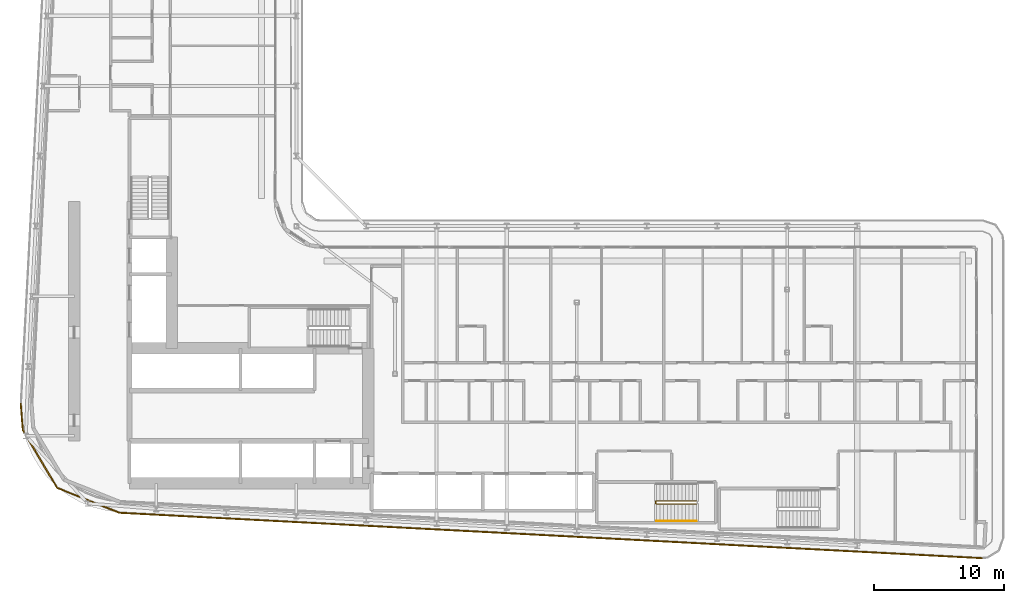
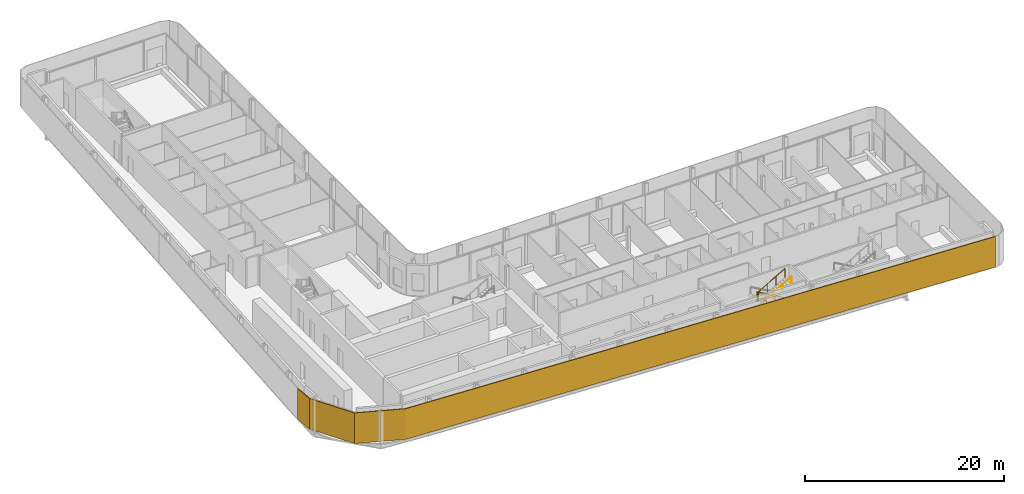
# One storey, part 21 of 25: 2 railings, 1 shading device.
"""IFC4 building model written with IfcOpenShell, lengths in metres."""

import ifcopenshell
import ifcopenshell.guid

model = None  # the IFC model being written
_history = None  # IfcOwnerHistory: only IFC2X3 demands one
_inside = {}  # id of a spatial element -> (the spatial element, [elements in it])
_under = {}  # id of a project, library or spatial element -> (it, [spatial elements below it])
_declared = {}  # id of a project -> (the project, [libraries it declares])
_typed = {}  # id of a type object -> (the type object, [elements of that type])
_made_of = {}  # id of a material, layer set ... -> (it, [elements and type objects made of it])


def new_model(schema):
    """Start an empty IFC model of exactly this schema.

    Asked for "IFC4X3", IfcOpenShell would pick the latest addendum, in which some entities
    have other attributes; the version numbers below select the first issue.
    IFC2X3 requires an IfcOwnerHistory on every rooted entity: one is made here for all.
    """
    global model, _history
    if schema == "IFC4X3":
        model = ifcopenshell.file(schema_version=(4, 3, 0, 0))
    else:
        model = ifcopenshell.file(schema=schema)
    _inside.clear()
    _under.clear()
    _declared.clear()
    _typed.clear()
    _made_of.clear()
    _history = None
    if model.schema == "IFC2X3":
        org = make("IfcOrganization", Name="unknown")
        user = make(
            "IfcPersonAndOrganization",
            ThePerson=make("IfcPerson", FamilyName="unknown"),
            TheOrganization=org,
        )
        app = make(
            "IfcApplication",
            ApplicationDeveloper=org,
            Version="unknown",
            ApplicationFullName="unknown",
            ApplicationIdentifier="unknown",
        )
        _history = make(
            "IfcOwnerHistory",
            OwningUser=user,
            OwningApplication=app,
            ChangeAction="ADDED",
            CreationDate=0,
        )
    return model


def make(cls, **values):
    """One entity of the class cls with the attributes given. An attribute that is None is left unset."""
    return model.create_entity(
        cls, **{name: value for name, value in values.items() if value is not None}
    )


def rooted(cls, **values):
    """An entity with a GlobalId (a new one), such as an element, a storey or a relation."""
    return make(cls, GlobalId=ifcopenshell.guid.new(), OwnerHistory=_history, **values)


def si_unit(unit_type, name, prefix=None):
    """IfcSIUnit, for example si_unit("LENGTHUNIT", "METRE", prefix="MILLI")."""
    return make("IfcSIUnit", UnitType=unit_type, Prefix=prefix, Name=name)


def assignment(units):
    """IfcUnitAssignment: the units of a project."""
    return None if units is None else make("IfcUnitAssignment", Units=units)


def point(xyz):
    """IfcCartesianPoint."""
    return None if xyz is None else make("IfcCartesianPoint", Coordinates=xyz)


def direction(xyz):
    """IfcDirection."""
    return None if xyz is None else make("IfcDirection", DirectionRatios=xyz)


def frame(location, z_axis=None, x_axis=None):
    """IfcAxis2Placement3D, a coordinate frame: its origin and axes. An axis left out is left unset."""
    return make(
        "IfcAxis2Placement3D",
        Location=point(location),
        Axis=direction(z_axis),
        RefDirection=direction(x_axis),
    )


def frame_2d(location, x_axis=None):
    """IfcAxis2Placement2D, a coordinate frame in the plane: its origin and x axis."""
    return make(
        "IfcAxis2Placement2D", Location=point(location), RefDirection=direction(x_axis)
    )


def origin():
    """The frame at (0, 0, 0) with its axes left unset."""
    return frame((0.0, 0.0, 0.0))


def origin_2d():
    """The frame at (0, 0) in the plane with its x axis left unset."""
    return frame_2d((0.0, 0.0))


def place(relative_to, where):
    """IfcLocalPlacement: puts the frame where relative to a parent placement (None: the world)."""
    return make(
        "IfcLocalPlacement", PlacementRelTo=relative_to, RelativePlacement=where
    )


def context(
    kind, dimensions, precision=None, world=None, true_north=None, identifier=None
):
    """IfcGeometricRepresentationContext, for example the 3D "Model" context."""
    return make(
        "IfcGeometricRepresentationContext",
        ContextIdentifier=identifier,
        ContextType=kind,
        CoordinateSpaceDimension=dimensions,
        Precision=precision,
        WorldCoordinateSystem=world,
        TrueNorth=true_north,
    )


def subcontext(parent, identifier, kind, view, scale=None):
    """IfcGeometricRepresentationSubContext, for example "Body" below "Model"."""
    return make(
        "IfcGeometricRepresentationSubContext",
        ContextIdentifier=identifier,
        ContextType=kind,
        ParentContext=parent,
        TargetScale=scale,
        TargetView=view,
    )


def project(units=None, contexts=None):
    """IfcProject with its units and contexts."""
    return rooted(
        "IfcProject",
        Name="project",
        RepresentationContexts=contexts,
        UnitsInContext=assignment(units),
    )


def spatial(cls, under=None, at=None, **own):
    """A site, building, storey or space (cls), placed at a placement, below another one or the project."""
    s = rooted(cls, ObjectPlacement=at, **own)
    if under is not None:
        _under.setdefault(under.id(), (under, []))[1].append(s)
    return s


def polyline(points):
    """IfcPolyline through the points."""
    return make("IfcPolyline", Points=[point(p) for p in points])


def profile(cls, at=None, kind="AREA", **sizes):
    """A parametric profile (cls). Its sizes go by their IFC names, for example OverallWidth=200.0."""
    return make(cls, ProfileType=kind, Position=at, **sizes)


def circle(**sizes):
    """IfcCircleProfileDef."""
    return profile("IfcCircleProfileDef", **sizes)


def outline(outer, holes=None, kind="AREA"):
    """IfcArbitraryClosedProfileDef: a profile drawn as a closed curve; with holes, ...WithVoids."""
    if holes is None:
        return make("IfcArbitraryClosedProfileDef", ProfileType=kind, OuterCurve=outer)
    return make(
        "IfcArbitraryProfileDefWithVoids",
        ProfileType=kind,
        OuterCurve=outer,
        InnerCurves=holes,
    )


def extrude(swept, where, along, depth):
    """IfcExtrudedAreaSolid: the profile swept, set in the frame where, extruded along a direction by depth."""
    return make(
        "IfcExtrudedAreaSolid",
        SweptArea=swept,
        Position=where,
        ExtrudedDirection=direction(along),
        Depth=depth,
    )


def shape(context_of_items, identifier, shape_type, items):
    """IfcShapeRepresentation: the items that make up one representation, for example the "Body"."""
    return make(
        "IfcShapeRepresentation",
        ContextOfItems=context_of_items,
        RepresentationIdentifier=identifier,
        RepresentationType=shape_type,
        Items=items,
    )


def material(Name=None, Category=None):
    """IfcMaterial."""
    return make("IfcMaterial", Name=Name, Category=Category)


def layer(
    of_material, thickness, ventilated=None, Name=None, Category=None, Priority=None
):
    """IfcMaterialLayer: one layer of a wall or slab, of a material (None: an air gap)."""
    return make(
        "IfcMaterialLayer",
        Material=of_material,
        LayerThickness=thickness,
        IsVentilated=ventilated,
        Name=Name,
        Category=Category,
        Priority=Priority,
    )


def layer_set(layers, Name=None):
    """IfcMaterialLayerSet."""
    return make("IfcMaterialLayerSet", MaterialLayers=layers, LayerSetName=Name)


def made_of(thing, what):
    """Note that an element or type object is made of a material, layer set ...; save() writes the relation."""
    if what is not None:
        _made_of.setdefault(what.id(), (what, []))[1].append(thing)
    return thing


def type_object(cls, material=None, **own):
    """A type object (cls), such as IfcWallType, which elements share."""
    return made_of(rooted(cls, **own), material)


def element(
    cls,
    number,
    at=None,
    inside=None,
    cuts=None,
    type_object=None,
    material=None,
    context=None,
    identifier="Body",
    shape_type=None,
    held_by="IfcProductDefinitionShape",
    body=None,
    shapes=None,
    **own,
):
    """One element of the class cls, such as IfcWall. Its Tag is "e" and its number.

    at: its placement. inside: the storey or other place that contains it. cuts: it is an
    opening in that element (IfcRelVoidsElement). A single representation is given by context,
    identifier, shape_type and body (its items); several are given by shapes. held_by: the class
    of the entity that holds the representations. save() writes the other relations.
    """
    e = rooted(cls, Tag="e%d" % number, ObjectPlacement=at, **own)
    if body is not None:
        shapes = [shape(context, identifier, shape_type, body)]
    if shapes is not None:
        e.Representation = make(held_by, Representations=shapes)
    if inside is not None:
        _inside.setdefault(inside.id(), (inside, []))[1].append(e)
    if cuts is not None:
        rooted(
            "IfcRelVoidsElement", RelatingBuildingElement=cuts, RelatedOpeningElement=e
        )
    if type_object is not None:
        _typed.setdefault(type_object.id(), (type_object, []))[1].append(e)
    return made_of(e, material)


def aggregate(whole, parts):
    """IfcRelAggregates: a whole, such as a stair, and the parts it consists of."""
    return rooted("IfcRelAggregates", RelatingObject=whole, RelatedObjects=parts)


def save(model, path):
    """Write the relations noted so far, then the file.

    IfcRelAggregates (storeys below a building ...), IfcRelContainedInSpatialStructure (elements
    in a storey), IfcRelDefinesByType, IfcRelAssociatesMaterial and IfcRelDeclares: one each for
    every whole, place, type object, material and project.
    """
    for whole, parts in _under.values():
        aggregate(whole, parts)
    for where, things in _inside.values():
        rooted(
            "IfcRelContainedInSpatialStructure",
            RelatedElements=things,
            RelatingStructure=where,
        )
    for kind, things in _typed.values():
        rooted("IfcRelDefinesByType", RelatedObjects=things, RelatingType=kind)
    for what, things in _made_of.values():
        rooted("IfcRelAssociatesMaterial", RelatedObjects=things, RelatingMaterial=what)
    for by, libraries in _declared.values():
        rooted("IfcRelDeclares", RelatingContext=by, RelatedDefinitions=libraries)
    model.write(path)


model = new_model("IFC4")

# Units and contexts
model_context = context("Model", 3, precision=1e-05, world=origin(), true_north=direction((0.0, 1.0)))
body_context = subcontext(model_context, "Body", "Model", "MODEL_VIEW")
ifc_project = project(units=[si_unit("LENGTHUNIT", "METRE"), si_unit("AREAUNIT", "SQUARE_METRE"), si_unit("VOLUMEUNIT", "CUBIC_METRE"), si_unit("PLANEANGLEUNIT", "RADIAN"), si_unit("MASSUNIT", "GRAM", prefix="KILO")], contexts=[model_context])

# Site, building, storey
site_placement = place(None, origin())
site = spatial("IfcSite", under=ifc_project, at=site_placement, CompositionType="ELEMENT")
building_placement = place(site_placement, origin())
building = spatial("IfcBuilding", under=site, at=building_placement, Name="Kheshtan School and Residences Tower", CompositionType="ELEMENT")
storey_placement = place(building_placement, frame((0.0, 0.0, 113.60009765625)))
storey = spatial("IfcBuildingStorey", under=building, at=storey_placement, Name="L26", CompositionType="ELEMENT", Elevation=113.60009765625)

# Shading device
ifc_material_1 = material(Name="Terracotta baguette, extruded ceramic", Category="masonry")
ifc_layer = layer(ifc_material_1, 0.10009765625)
ifc_layer_set = layer_set([ifc_layer], Name="Ledge screen, terracotta baguettes")
shading_device_type = type_object("IfcShadingDeviceType", Name="Ledge screen, terracotta baguettes", PredefinedType="USERDEFINED", material=ifc_layer_set)
shading_device_placement = place(storey_placement, origin())
element("IfcShadingDevice", 1, at=shading_device_placement, inside=storey, type_object=shading_device_type, Name="Screen L26 3", ObjectType="BAGUETTE", PredefinedType="USERDEFINED", context=body_context, shape_type="SweptSolid", body=[
    extrude(outline(polyline([(100.4208984375, 20.0830078125), (33.989013671875, 23.580078125), (29.2119140625, 25.486083984375), (26.583984375, 29.906982421875), (26.419921875, 31.989013671875), (26.320068359375, 31.98095703125), (26.486083984375, 29.8759765625), (29.14306640625, 25.406005859375), (33.967041015625, 23.48095703125), (100.416015625, 19.98291015625), (100.4208984375, 20.0830078125)])), origin(), (0.0, 0.0, 1.0), 3.75),
])

# Railings
ifc_material_2 = material(Name="Stainless steel balustrade", Category="steel")
railing_type_1 = type_object("IfcRailingType", Name="Stair guard 1100", PredefinedType="GUARDRAIL", material=ifc_material_2)
railing_1_placement = place(storey_placement, frame((78.409912109375, 24.449951171875, 0.162353515625)))
element("IfcRailing", 2, at=railing_1_placement, inside=storey, type_object=railing_type_1, Name="L26 ST5 stair guard 1", PredefinedType="GUARDRAIL", context=body_context, shape_type="SweptSolid", body=[
    extrude(circle(Radius=0.02392578125, at=origin_2d()), frame((0.0, 0.0, 1.076171875), z_axis=(-0.864873446163, 0.0, 0.501989962173), x_axis=(0.0, -1.0, 0.0)), (0.0, 0.0, 1.0), 3.56103515625),
    extrude(circle(Radius=0.02392578125, at=origin_2d()), frame((-3.079833984375, 0.0, 2.86376953125), z_axis=(-0.707106781187, -0.707106781187, 0.0), x_axis=(0.707106781187, -0.707106781187, 0.0)), (0.0, 0.0, 1.0), 0.07080078125),
    extrude(circle(Radius=0.02392578125, at=origin_2d()), frame((-3.1298828125, -0.050048828125, 2.86376953125), z_axis=(0.0, -1.0, 0.0), x_axis=(1.0, 0.0, 0.0)), (0.0, 0.0, 1.0), 0.14990234375),
    extrude(circle(Radius=0.02392578125, at=origin_2d()), frame((-3.1298828125, -0.199951171875, 2.86376953125), z_axis=(0.282583949758, -0.282583949758, 0.916674763849), x_axis=(0.707106781187, 0.707106781187, 0.0)), (0.0, 0.0, 1.0), 0.177001953125),
    extrude(circle(Radius=0.02392578125, at=origin_2d()), frame((-3.079833984375, -0.25, 3.02587890625), z_axis=(0.864873446163, 0.0, 0.501989962173), x_axis=(0.0, 1.0, 0.0)), (0.0, 0.0, 1.0), 3.56103515625),
    extrude(circle(Radius=0.02099609375, at=origin_2d()), origin(), (0.0, 0.0, 1.0), 1.052001953125),
    extrude(circle(Radius=0.02099609375, at=origin_2d()), frame((-1.026611328125, 0.0, 0.595947265625)), (0.0, 0.0, 1.0), 1.052001953125),
    extrude(circle(Radius=0.02099609375, at=origin_2d()), frame((-2.05322265625, 0.0, 1.191650390625)), (0.0, 0.0, 1.0), 1.052001953125),
    extrude(circle(Radius=0.02099609375, at=origin_2d()), frame((-3.079833984375, 0.0, 1.78759765625)), (0.0, 0.0, 1.0), 1.052001953125),
    extrude(circle(Radius=0.02099609375, at=origin_2d()), frame((-3.1298828125, -0.050048828125, 1.78759765625)), (0.0, 0.0, 1.0), 1.052001953125),
    extrude(circle(Radius=0.02099609375, at=origin_2d()), frame((-3.1298828125, -0.199951171875, 1.78759765625)), (0.0, 0.0, 1.0), 1.052001953125),
    extrude(circle(Radius=0.02099609375, at=origin_2d()), frame((-3.079833984375, -0.25, 1.949951171875)), (0.0, 0.0, 1.0), 1.052001953125),
    extrude(circle(Radius=0.02099609375, at=origin_2d()), frame((-2.05322265625, -0.25, 2.5458984375)), (0.0, 0.0, 1.0), 1.052001953125),
    extrude(circle(Radius=0.02099609375, at=origin_2d()), frame((-1.026611328125, -0.25, 3.1416015625)), (0.0, 0.0, 1.0), 1.052001953125),
    extrude(circle(Radius=0.02099609375, at=origin_2d()), frame((0.0, -0.25, 3.737548828125)), (0.0, 0.0, 1.0), 1.052001953125),
])
ifc_material_3 = material(Name="Stainless steel handrail", Category="steel")
railing_type_2 = type_object("IfcRailingType", Name="Stair handrail 900", PredefinedType="HANDRAIL", material=ifc_material_3)
railing_2_placement = place(storey_placement, frame((75.330078125, 22.89990234375, 2.1123046875)))
element("IfcRailing", 3, at=railing_2_placement, inside=storey, type_object=railing_type_2, Name="L26 ST5 stair handrail 2", PredefinedType="HANDRAIL", context=body_context, shape_type="SweptSolid", body=[
    extrude(circle(Radius=0.02392578125, at=origin_2d()), frame((0.0, 0.0, 0.8759765625), z_axis=(0.864873446163, 0.0, 0.501989962173), x_axis=(0.0, 1.0, 0.0)), (0.0, 0.0, 1.0), 3.56103515625),
    extrude(circle(Radius=0.02099609375, at=origin_2d()), origin(), (0.0, 0.0, 1.0), 0.851806640625),
    extrude(circle(Radius=0.02099609375, at=origin_2d()), frame((1.026611328125, 0.0, 0.595947265625)), (0.0, 0.0, 1.0), 0.851806640625),
    extrude(circle(Radius=0.02099609375, at=origin_2d()), frame((2.05322265625, 0.0, 1.191650390625)), (0.0, 0.0, 1.0), 0.851806640625),
    extrude(circle(Radius=0.02099609375, at=origin_2d()), frame((3.079833984375, 0.0, 1.78759765625)), (0.0, 0.0, 1.0), 0.851806640625),
])

save(model, "model.ifc")
